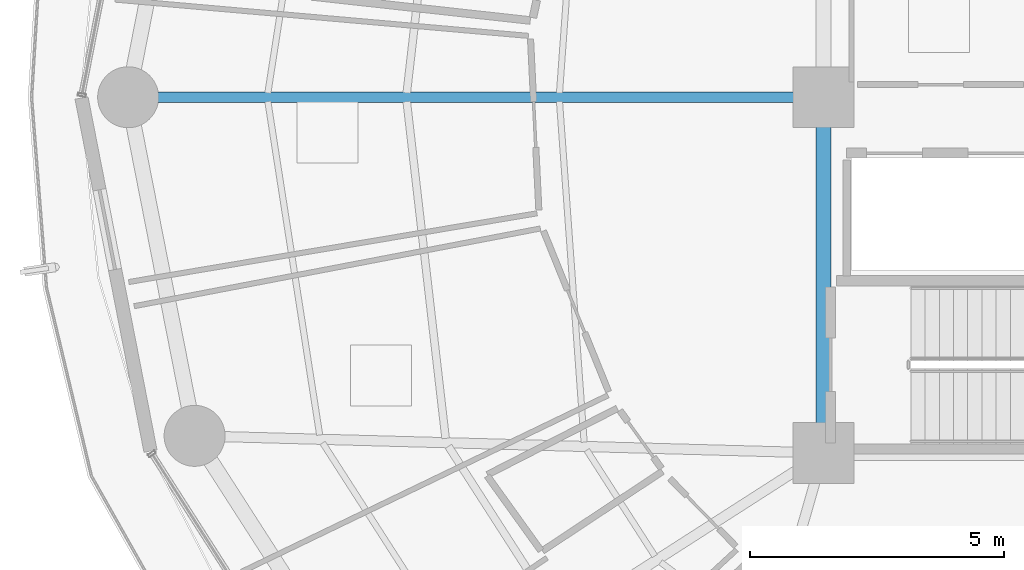
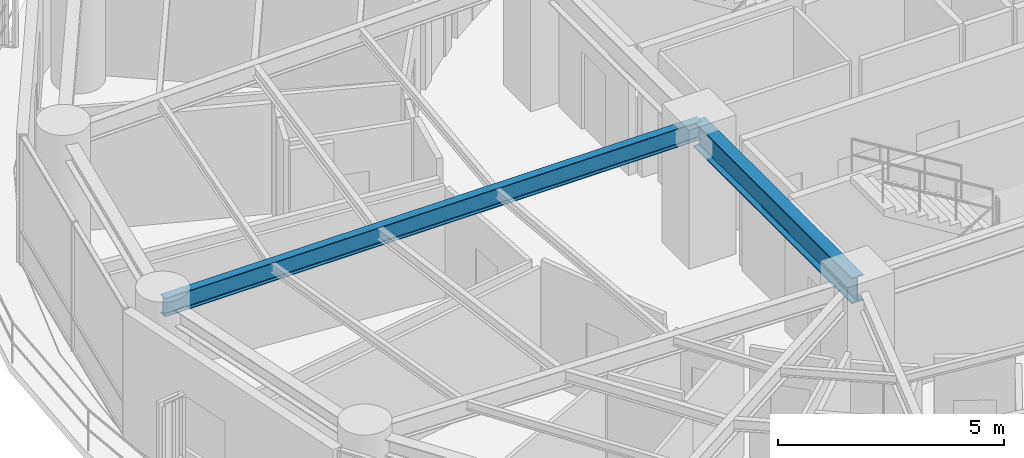
# One storey, part 7 of 28: 2 beams.
"""IFC4 building model written with IfcOpenShell, lengths in metres."""

from ifc_helpers import new_model, si_unit, direction, frame, origin, origin_2d, place, context, subcontext, project, spatial, i_section, extrude, material, material_profile, profile_set, type_object, element, save


model = new_model("IFC4")

# Units and contexts
model_context = context("Model", 3, precision=1e-05, world=origin(), true_north=direction((0.0, 1.0)))
body_context = subcontext(model_context, "Body", "Model", "MODEL_VIEW")
ifc_project = project(units=[si_unit("LENGTHUNIT", "METRE"), si_unit("AREAUNIT", "SQUARE_METRE"), si_unit("VOLUMEUNIT", "CUBIC_METRE"), si_unit("PLANEANGLEUNIT", "RADIAN"), si_unit("MASSUNIT", "GRAM", prefix="KILO")], contexts=[model_context])

# Site, building, storey
site_placement = place(None, origin())
site = spatial("IfcSite", under=ifc_project, at=site_placement, CompositionType="ELEMENT")
building_placement = place(site_placement, origin())
building = spatial("IfcBuilding", under=site, at=building_placement, Name="Kelanora Arch Commons", CompositionType="ELEMENT")
storey_placement = place(building_placement, frame((0.0, 0.0, 161.85009765625)))
storey = spatial("IfcBuildingStorey", under=building, at=storey_placement, Name="L41", CompositionType="ELEMENT", Elevation=161.85009765625)

# Beams
ifc_material = material(Name="Steel S355", Category="steel")
ifc_material_profile_1 = material_profile(ifc_material, i_section(OverallWidth=0.300048828125, OverallDepth=0.699951171875, WebThickness=0.01708984375, FlangeThickness=0.031982421875, FilletRadius=0.027099609375, at=origin_2d()), Name="HEB700")
ifc_profile_set_1 = profile_set([ifc_material_profile_1], Name="Steel S355")
beam_type_1 = type_object("IfcBeamType", Name="BM-CORE-HDR", PredefinedType="BEAM", material=ifc_profile_set_1)
beam_1_placement = place(storey_placement, frame((66.0, 58.0, 3.139892578125), z_axis=(0.0, -1.0, 0.0), x_axis=(1.0, 0.0, 0.0)))
element("IfcBeam", 1, at=beam_1_placement, inside=storey, type_object=beam_type_1, Name="Core Header Beam 09 L41", PredefinedType="BEAM", context=body_context, shape_type="SweptSolid", body=[
    extrude(i_section(OverallWidth=0.300048828125, OverallDepth=0.699951171875, WebThickness=0.01708984375, FlangeThickness=0.031982421875, FilletRadius=0.027099609375, at=origin_2d()), origin(), (0.0, 0.0, 1.0), 7.0),
])
ifc_material_profile_2 = material_profile(ifc_material, i_section(OverallWidth=0.199951171875, OverallDepth=0.5, WebThickness=0.01025390625, FlangeThickness=0.01611328125, FilletRadius=0.02099609375, at=origin_2d()), Name="IPE500")
ifc_profile_set_2 = profile_set([ifc_material_profile_2], Name="Steel S355")
beam_type_2 = type_object("IfcBeamType", Name="BM-RAD-Z3", PredefinedType="BEAM", material=ifc_profile_set_2)
beam_2_placement = place(storey_placement, frame((66.0, 58.0, 3.239990234375), z_axis=(-1.0, 0.0, 0.0), x_axis=(0.0, -1.0, 0.0)))
element("IfcBeam", 2, at=beam_2_placement, inside=storey, type_object=beam_type_2, Name="Radial Floor Girder BR-18 L41", PredefinedType="BEAM", context=body_context, shape_type="SweptSolid", body=[
    extrude(i_section(OverallWidth=0.199951171875, OverallDepth=0.5, WebThickness=0.01025390625, FlangeThickness=0.01611328125, FilletRadius=0.02099609375, at=origin_2d()), origin(), (0.0, 0.0, 1.0), 13.679931640625),
])

save(model, "model.ifc")
